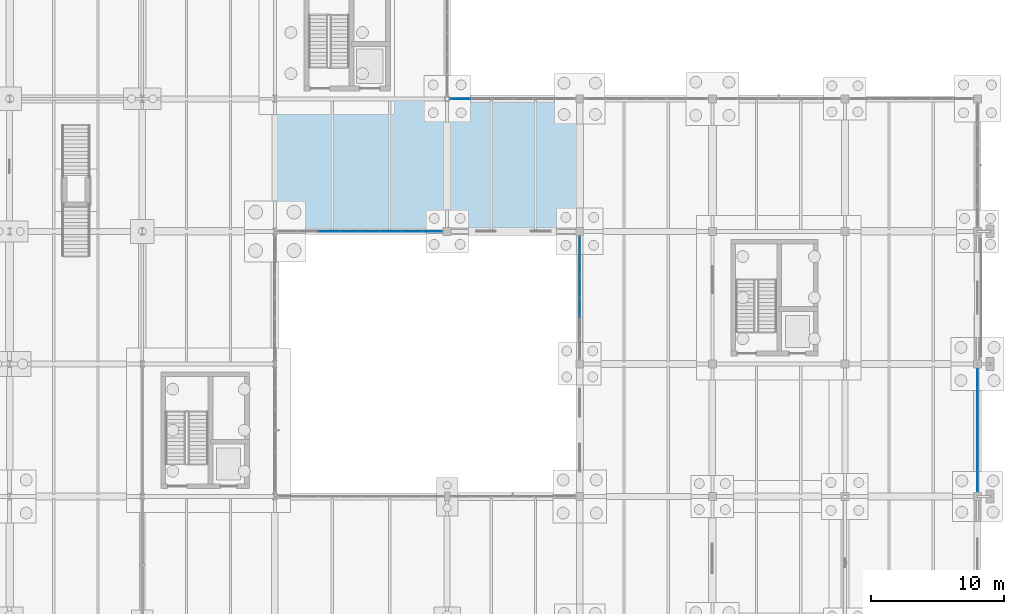
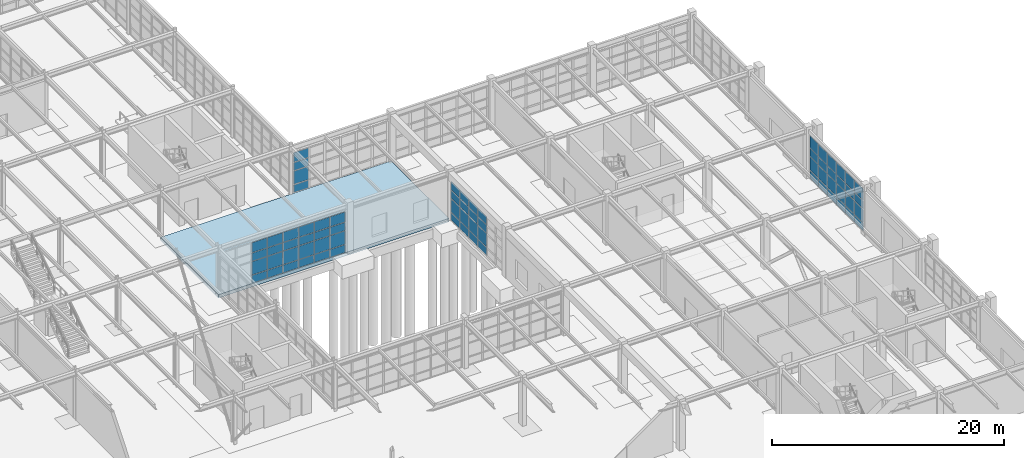
# One storey, part 95 of 145: 68 plates, 1 slab, 4 elements without a shape of their own.
"""IFC4 building model written with IfcOpenShell, lengths in metres."""

from ifc_helpers import new_model, si_unit, direction, frame, origin, origin_2d, place, context, subcontext, project, spatial, polyline, rectangle, outline, extrude, material, layer, layer_set, type_object, element, aggregate, save


model = new_model("IFC4")

# Units and contexts
model_context = context("Model", 3, precision=1e-05, world=origin(), true_north=direction((0.0, 1.0)))
body_context = subcontext(model_context, "Body", "Model", "MODEL_VIEW")
ifc_project = project(units=[si_unit("LENGTHUNIT", "METRE"), si_unit("AREAUNIT", "SQUARE_METRE"), si_unit("VOLUMEUNIT", "CUBIC_METRE"), si_unit("PLANEANGLEUNIT", "RADIAN"), si_unit("MASSUNIT", "GRAM", prefix="KILO"), si_unit("THERMODYNAMICTEMPERATUREUNIT", "KELVIN"), si_unit("POWERUNIT", "WATT")], contexts=[model_context])

# Site, building, storey
site_placement = place(None, origin())
site = spatial("IfcSite", under=ifc_project, at=site_placement, CompositionType="ELEMENT")
building_placement = place(site_placement, origin())
building = spatial("IfcBuilding", under=site, at=building_placement, Name="Korenveer Ferry Terminal", CompositionType="ELEMENT")
storey_placement = place(building_placement, origin())
storey = spatial("IfcBuildingStorey", under=building, at=storey_placement, Name="L00", CompositionType="ELEMENT", Elevation=0.0)

# Curtain wall, plates
ifc_material_1 = material(Name="Unitised bronze-and-glass curtain wall", Category="glass")
ifc_layer_1 = layer(ifc_material_1, 0.159912109375)
ifc_layer_set_1 = layer_set([ifc_layer_1], Name="Unitised bronze-and-glass curtain wall")
curtain_wall_type_1 = type_object("IfcCurtainWallType", Name="ENV-CW-07", PredefinedType="USERDEFINED", material=ifc_layer_set_1)
curtain_wall_1_placement = place(storey_placement, frame((123.179931640625, 70.0, 0.0)))
curtain_wall_1 = element("IfcCurtainWall", 1, at=curtain_wall_1_placement, inside=storey, type_object=curtain_wall_type_1, Name="Lancet curtain wall CWX-L00-X123-136-Y70-70", ObjectType="UNITISED CURTAIN WALL", PredefinedType="USERDEFINED")
ifc_material_2 = material(Name="Low-iron solar-control double glazing", Category="glass")
ifc_layer_2 = layer(ifc_material_2, 0.028076171875)
ifc_layer_set_2 = layer_set([ifc_layer_2], Name="Low-iron solar-control double glazing")
plate_type_1 = type_object("IfcPlateType", Name="ENV-CWP-GLZ28", PredefinedType="CURTAIN_PANEL", material=ifc_layer_set_2)
plate_1_placement = place(storey_placement, frame((127.0830078125, 70.0, 0.06005859375), z_axis=(0.0, 0.0, 1.0), x_axis=(1.0, 0.0, 0.0)))
plate_1 = element("IfcPlate", 2, at=plate_1_placement, type_object=plate_type_1, Name="CW-07 panel 3.1", PredefinedType="CURTAIN_PANEL", context=body_context, shape_type="SweptSolid", body=[
    extrude(rectangle(XDim=1.501220703125, YDim=0.028076171875, at=origin_2d()), origin(), (0.0, 0.0, 1.0), 0.81005859375),
])
plate_2_placement = place(storey_placement, frame((127.0830078125, 70.0, 0.93017578125), z_axis=(0.0, 0.0, 1.0), x_axis=(1.0, 0.0, 0.0)))
plate_2 = element("IfcPlate", 3, at=plate_2_placement, type_object=plate_type_1, Name="CW-07 panel 3.2", PredefinedType="CURTAIN_PANEL", context=body_context, shape_type="SweptSolid", body=[
    extrude(rectangle(XDim=1.501220703125, YDim=0.028076171875, at=origin_2d()), origin(), (0.0, 0.0, 1.0), 1.389892578125),
])
plate_3_placement = place(storey_placement, frame((127.0830078125, 70.0, 2.3798828125), z_axis=(0.0, 0.0, 1.0), x_axis=(1.0, 0.0, 0.0)))
plate_3 = element("IfcPlate", 4, at=plate_3_placement, type_object=plate_type_1, Name="CW-07 panel 3.3", PredefinedType="CURTAIN_PANEL", context=body_context, shape_type="SweptSolid", body=[
    extrude(rectangle(XDim=1.501220703125, YDim=0.028076171875, at=origin_2d()), origin(), (0.0, 0.0, 1.0), 0.840087890625),
])
plate_4_placement = place(storey_placement, frame((127.0830078125, 70.0, 3.27978515625), z_axis=(0.0, 0.0, 1.0), x_axis=(1.0, 0.0, 0.0)))
plate_4 = element("IfcPlate", 5, at=plate_4_placement, type_object=plate_type_1, Name="CW-07 panel 3.4", PredefinedType="CURTAIN_PANEL", context=body_context, shape_type="SweptSolid", body=[
    extrude(rectangle(XDim=1.501220703125, YDim=0.028076171875, at=origin_2d()), origin(), (0.0, 0.0, 1.0), 1.050048828125),
])
plate_5_placement = place(storey_placement, frame((128.644287109375, 70.0, 0.06005859375), z_axis=(0.0, 0.0, 1.0), x_axis=(1.0, 0.0, 0.0)))
plate_5 = element("IfcPlate", 6, at=plate_5_placement, type_object=plate_type_1, Name="CW-07 panel 4.1", PredefinedType="CURTAIN_PANEL", context=body_context, shape_type="SweptSolid", body=[
    extrude(rectangle(XDim=1.501220703125, YDim=0.028076171875, at=origin_2d()), origin(), (0.0, 0.0, 1.0), 0.81005859375),
])
plate_6_placement = place(storey_placement, frame((128.644287109375, 70.0, 0.93017578125), z_axis=(0.0, 0.0, 1.0), x_axis=(1.0, 0.0, 0.0)))
plate_6 = element("IfcPlate", 7, at=plate_6_placement, type_object=plate_type_1, Name="CW-07 panel 4.2", PredefinedType="CURTAIN_PANEL", context=body_context, shape_type="SweptSolid", body=[
    extrude(rectangle(XDim=1.501220703125, YDim=0.028076171875, at=origin_2d()), origin(), (0.0, 0.0, 1.0), 1.389892578125),
])
plate_7_placement = place(storey_placement, frame((128.644287109375, 70.0, 2.3798828125), z_axis=(0.0, 0.0, 1.0), x_axis=(1.0, 0.0, 0.0)))
plate_7 = element("IfcPlate", 8, at=plate_7_placement, type_object=plate_type_1, Name="CW-07 panel 4.3", PredefinedType="CURTAIN_PANEL", context=body_context, shape_type="SweptSolid", body=[
    extrude(rectangle(XDim=1.501220703125, YDim=0.028076171875, at=origin_2d()), origin(), (0.0, 0.0, 1.0), 0.840087890625),
])
plate_8_placement = place(storey_placement, frame((128.644287109375, 70.0, 3.27978515625), z_axis=(0.0, 0.0, 1.0), x_axis=(1.0, 0.0, 0.0)))
plate_8 = element("IfcPlate", 9, at=plate_8_placement, type_object=plate_type_1, Name="CW-07 panel 4.4", PredefinedType="CURTAIN_PANEL", context=body_context, shape_type="SweptSolid", body=[
    extrude(rectangle(XDim=1.501220703125, YDim=0.028076171875, at=origin_2d()), origin(), (0.0, 0.0, 1.0), 1.050048828125),
])
plate_9_placement = place(storey_placement, frame((130.20556640625, 70.0, 0.06005859375), z_axis=(0.0, 0.0, 1.0), x_axis=(1.0, 0.0, 0.0)))
plate_9 = element("IfcPlate", 10, at=plate_9_placement, type_object=plate_type_1, Name="CW-07 panel 5.1", PredefinedType="CURTAIN_PANEL", context=body_context, shape_type="SweptSolid", body=[
    extrude(rectangle(XDim=1.501220703125, YDim=0.028076171875, at=origin_2d()), origin(), (0.0, 0.0, 1.0), 0.81005859375),
])
plate_10_placement = place(storey_placement, frame((130.20556640625, 70.0, 0.93017578125), z_axis=(0.0, 0.0, 1.0), x_axis=(1.0, 0.0, 0.0)))
plate_10 = element("IfcPlate", 11, at=plate_10_placement, type_object=plate_type_1, Name="CW-07 panel 5.2", PredefinedType="CURTAIN_PANEL", context=body_context, shape_type="SweptSolid", body=[
    extrude(rectangle(XDim=1.501220703125, YDim=0.028076171875, at=origin_2d()), origin(), (0.0, 0.0, 1.0), 1.389892578125),
])
plate_11_placement = place(storey_placement, frame((130.20556640625, 70.0, 2.3798828125), z_axis=(0.0, 0.0, 1.0), x_axis=(1.0, 0.0, 0.0)))
plate_11 = element("IfcPlate", 12, at=plate_11_placement, type_object=plate_type_1, Name="CW-07 panel 5.3", PredefinedType="CURTAIN_PANEL", context=body_context, shape_type="SweptSolid", body=[
    extrude(rectangle(XDim=1.501220703125, YDim=0.028076171875, at=origin_2d()), origin(), (0.0, 0.0, 1.0), 0.840087890625),
])
plate_12_placement = place(storey_placement, frame((130.20556640625, 70.0, 3.27978515625), z_axis=(0.0, 0.0, 1.0), x_axis=(1.0, 0.0, 0.0)))
plate_12 = element("IfcPlate", 13, at=plate_12_placement, type_object=plate_type_1, Name="CW-07 panel 5.4", PredefinedType="CURTAIN_PANEL", context=body_context, shape_type="SweptSolid", body=[
    extrude(rectangle(XDim=1.501220703125, YDim=0.028076171875, at=origin_2d()), origin(), (0.0, 0.0, 1.0), 1.050048828125),
])
plate_13_placement = place(storey_placement, frame((131.766845703125, 70.0, 0.06005859375), z_axis=(0.0, 0.0, 1.0), x_axis=(1.0, 0.0, 0.0)))
plate_13 = element("IfcPlate", 14, at=plate_13_placement, type_object=plate_type_1, Name="CW-07 panel 6.1", PredefinedType="CURTAIN_PANEL", context=body_context, shape_type="SweptSolid", body=[
    extrude(rectangle(XDim=1.501220703125, YDim=0.028076171875, at=origin_2d()), origin(), (0.0, 0.0, 1.0), 0.81005859375),
])
plate_14_placement = place(storey_placement, frame((131.766845703125, 70.0, 0.93017578125), z_axis=(0.0, 0.0, 1.0), x_axis=(1.0, 0.0, 0.0)))
plate_14 = element("IfcPlate", 15, at=plate_14_placement, type_object=plate_type_1, Name="CW-07 panel 6.2", PredefinedType="CURTAIN_PANEL", context=body_context, shape_type="SweptSolid", body=[
    extrude(rectangle(XDim=1.501220703125, YDim=0.028076171875, at=origin_2d()), origin(), (0.0, 0.0, 1.0), 1.389892578125),
])
plate_15_placement = place(storey_placement, frame((131.766845703125, 70.0, 2.3798828125), z_axis=(0.0, 0.0, 1.0), x_axis=(1.0, 0.0, 0.0)))
plate_15 = element("IfcPlate", 16, at=plate_15_placement, type_object=plate_type_1, Name="CW-07 panel 6.3", PredefinedType="CURTAIN_PANEL", context=body_context, shape_type="SweptSolid", body=[
    extrude(rectangle(XDim=1.501220703125, YDim=0.028076171875, at=origin_2d()), origin(), (0.0, 0.0, 1.0), 0.840087890625),
])
plate_16_placement = place(storey_placement, frame((131.766845703125, 70.0, 3.27978515625), z_axis=(0.0, 0.0, 1.0), x_axis=(1.0, 0.0, 0.0)))
plate_16 = element("IfcPlate", 17, at=plate_16_placement, type_object=plate_type_1, Name="CW-07 panel 6.4", PredefinedType="CURTAIN_PANEL", context=body_context, shape_type="SweptSolid", body=[
    extrude(rectangle(XDim=1.501220703125, YDim=0.028076171875, at=origin_2d()), origin(), (0.0, 0.0, 1.0), 1.050048828125),
])
plate_17_placement = place(storey_placement, frame((133.328125, 70.0, 0.06005859375), z_axis=(0.0, 0.0, 1.0), x_axis=(1.0, 0.0, 0.0)))
plate_17 = element("IfcPlate", 18, at=plate_17_placement, type_object=plate_type_1, Name="CW-07 panel 7.1", PredefinedType="CURTAIN_PANEL", context=body_context, shape_type="SweptSolid", body=[
    extrude(rectangle(XDim=1.501220703125, YDim=0.028076171875, at=origin_2d()), origin(), (0.0, 0.0, 1.0), 0.81005859375),
])
plate_18_placement = place(storey_placement, frame((133.328125, 70.0, 0.93017578125), z_axis=(0.0, 0.0, 1.0), x_axis=(1.0, 0.0, 0.0)))
plate_18 = element("IfcPlate", 19, at=plate_18_placement, type_object=plate_type_1, Name="CW-07 panel 7.2", PredefinedType="CURTAIN_PANEL", context=body_context, shape_type="SweptSolid", body=[
    extrude(rectangle(XDim=1.501220703125, YDim=0.028076171875, at=origin_2d()), origin(), (0.0, 0.0, 1.0), 1.389892578125),
])
plate_19_placement = place(storey_placement, frame((133.328125, 70.0, 2.3798828125), z_axis=(0.0, 0.0, 1.0), x_axis=(1.0, 0.0, 0.0)))
plate_19 = element("IfcPlate", 20, at=plate_19_placement, type_object=plate_type_1, Name="CW-07 panel 7.3", PredefinedType="CURTAIN_PANEL", context=body_context, shape_type="SweptSolid", body=[
    extrude(rectangle(XDim=1.501220703125, YDim=0.028076171875, at=origin_2d()), origin(), (0.0, 0.0, 1.0), 0.840087890625),
])
plate_20_placement = place(storey_placement, frame((133.328125, 70.0, 3.27978515625), z_axis=(0.0, 0.0, 1.0), x_axis=(1.0, 0.0, 0.0)))
plate_20 = element("IfcPlate", 21, at=plate_20_placement, type_object=plate_type_1, Name="CW-07 panel 7.4", PredefinedType="CURTAIN_PANEL", context=body_context, shape_type="SweptSolid", body=[
    extrude(rectangle(XDim=1.501220703125, YDim=0.028076171875, at=origin_2d()), origin(), (0.0, 0.0, 1.0), 1.050048828125),
])
plate_21_placement = place(storey_placement, frame((134.874267578125, 70.0, 0.06005859375), z_axis=(0.0, 0.0, 1.0), x_axis=(1.0, 0.0, 0.0)))
plate_21 = element("IfcPlate", 22, at=plate_21_placement, type_object=plate_type_1, Name="CW-07 panel 8.1", PredefinedType="CURTAIN_PANEL", context=body_context, shape_type="SweptSolid", body=[
    extrude(rectangle(XDim=1.47119140625, YDim=0.028076171875, at=origin_2d()), origin(), (0.0, 0.0, 1.0), 0.81005859375),
])
plate_22_placement = place(storey_placement, frame((134.874267578125, 70.0, 0.93017578125), z_axis=(0.0, 0.0, 1.0), x_axis=(1.0, 0.0, 0.0)))
plate_22 = element("IfcPlate", 23, at=plate_22_placement, type_object=plate_type_1, Name="CW-07 panel 8.2", PredefinedType="CURTAIN_PANEL", context=body_context, shape_type="SweptSolid", body=[
    extrude(rectangle(XDim=1.47119140625, YDim=0.028076171875, at=origin_2d()), origin(), (0.0, 0.0, 1.0), 1.389892578125),
])
plate_23_placement = place(storey_placement, frame((134.874267578125, 70.0, 2.3798828125), z_axis=(0.0, 0.0, 1.0), x_axis=(1.0, 0.0, 0.0)))
plate_23 = element("IfcPlate", 24, at=plate_23_placement, type_object=plate_type_1, Name="CW-07 panel 8.3", PredefinedType="CURTAIN_PANEL", context=body_context, shape_type="SweptSolid", body=[
    extrude(rectangle(XDim=1.47119140625, YDim=0.028076171875, at=origin_2d()), origin(), (0.0, 0.0, 1.0), 0.840087890625),
])
plate_24_placement = place(storey_placement, frame((134.874267578125, 70.0, 3.27978515625), z_axis=(0.0, 0.0, 1.0), x_axis=(1.0, 0.0, 0.0)))
plate_24 = element("IfcPlate", 25, at=plate_24_placement, type_object=plate_type_1, Name="CW-07 panel 8.4", PredefinedType="CURTAIN_PANEL", context=body_context, shape_type="SweptSolid", body=[
    extrude(rectangle(XDim=1.47119140625, YDim=0.028076171875, at=origin_2d()), origin(), (0.0, 0.0, 1.0), 1.050048828125),
])
aggregate(curtain_wall_1, [plate_1, plate_2, plate_3, plate_4, plate_5, plate_6, plate_7, plate_8, plate_9, plate_10, plate_11, plate_12, plate_13, plate_14, plate_15, plate_16, plate_17, plate_18, plate_19, plate_20, plate_21, plate_22, plate_23, plate_24])

ifc_layer_3 = layer(ifc_material_1, 0.159912109375)
ifc_layer_set_3 = layer_set([ifc_layer_3], Name="Unitised bronze-and-glass curtain wall")
curtain_wall_type_2 = type_object("IfcCurtainWallType", Name="ENV-CW-32", PredefinedType="USERDEFINED", material=ifc_layer_set_3)
curtain_wall_2_placement = place(storey_placement, frame((146.0, 60.330078125, 0.0)))
curtain_wall_2 = element("IfcCurtainWall", 26, at=curtain_wall_2_placement, inside=storey, type_object=curtain_wall_type_2, Name="Lancet curtain wall CWX-L00-X146-146-Y60-70", ObjectType="UNITISED CURTAIN WALL", PredefinedType="USERDEFINED")
plate_25_placement = place(storey_placement, frame((146.0, 64.2216796875, 0.06005859375), z_axis=(0.0, 0.0, 1.0), x_axis=(0.0, 1.0, 0.0)))
plate_25 = element("IfcPlate", 27, at=plate_25_placement, type_object=plate_type_1, Name="CW-32 panel 3.1", PredefinedType="CURTAIN_PANEL", context=body_context, shape_type="SweptSolid", body=[
    extrude(rectangle(XDim=1.49658203125, YDim=0.028076171875, at=origin_2d()), origin(), (0.0, 0.0, 1.0), 0.81005859375),
])
plate_26_placement = place(storey_placement, frame((146.0, 64.2216796875, 0.93017578125), z_axis=(0.0, 0.0, 1.0), x_axis=(0.0, 1.0, 0.0)))
plate_26 = element("IfcPlate", 28, at=plate_26_placement, type_object=plate_type_1, Name="CW-32 panel 3.2", PredefinedType="CURTAIN_PANEL", context=body_context, shape_type="SweptSolid", body=[
    extrude(rectangle(XDim=1.49658203125, YDim=0.028076171875, at=origin_2d()), origin(), (0.0, 0.0, 1.0), 1.389892578125),
])
plate_27_placement = place(storey_placement, frame((146.0, 64.2216796875, 2.3798828125), z_axis=(0.0, 0.0, 1.0), x_axis=(0.0, 1.0, 0.0)))
plate_27 = element("IfcPlate", 29, at=plate_27_placement, type_object=plate_type_1, Name="CW-32 panel 3.3", PredefinedType="CURTAIN_PANEL", context=body_context, shape_type="SweptSolid", body=[
    extrude(rectangle(XDim=1.49658203125, YDim=0.028076171875, at=origin_2d()), origin(), (0.0, 0.0, 1.0), 0.840087890625),
])
plate_28_placement = place(storey_placement, frame((146.0, 64.2216796875, 3.280029296875), z_axis=(0.0, 0.0, 1.0), x_axis=(0.0, 1.0, 0.0)))
plate_28 = element("IfcPlate", 30, at=plate_28_placement, type_object=plate_type_1, Name="CW-32 panel 3.4", PredefinedType="CURTAIN_PANEL", context=body_context, shape_type="SweptSolid", body=[
    extrude(rectangle(XDim=1.49658203125, YDim=0.028076171875, at=origin_2d()), origin(), (0.0, 0.0, 1.0), 0.85009765625),
])
plate_29_placement = place(storey_placement, frame((146.0, 65.7783203125, 0.06005859375), z_axis=(0.0, 0.0, 1.0), x_axis=(0.0, 1.0, 0.0)))
plate_29 = element("IfcPlate", 31, at=plate_29_placement, type_object=plate_type_1, Name="CW-32 panel 4.1", PredefinedType="CURTAIN_PANEL", context=body_context, shape_type="SweptSolid", body=[
    extrude(rectangle(XDim=1.49658203125, YDim=0.028076171875, at=origin_2d()), origin(), (0.0, 0.0, 1.0), 0.81005859375),
])
plate_30_placement = place(storey_placement, frame((146.0, 65.7783203125, 0.93017578125), z_axis=(0.0, 0.0, 1.0), x_axis=(0.0, 1.0, 0.0)))
plate_30 = element("IfcPlate", 32, at=plate_30_placement, type_object=plate_type_1, Name="CW-32 panel 4.2", PredefinedType="CURTAIN_PANEL", context=body_context, shape_type="SweptSolid", body=[
    extrude(rectangle(XDim=1.49658203125, YDim=0.028076171875, at=origin_2d()), origin(), (0.0, 0.0, 1.0), 1.389892578125),
])
plate_31_placement = place(storey_placement, frame((146.0, 65.7783203125, 2.3798828125), z_axis=(0.0, 0.0, 1.0), x_axis=(0.0, 1.0, 0.0)))
plate_31 = element("IfcPlate", 33, at=plate_31_placement, type_object=plate_type_1, Name="CW-32 panel 4.3", PredefinedType="CURTAIN_PANEL", context=body_context, shape_type="SweptSolid", body=[
    extrude(rectangle(XDim=1.49658203125, YDim=0.028076171875, at=origin_2d()), origin(), (0.0, 0.0, 1.0), 0.840087890625),
])
plate_32_placement = place(storey_placement, frame((146.0, 65.7783203125, 3.280029296875), z_axis=(0.0, 0.0, 1.0), x_axis=(0.0, 1.0, 0.0)))
plate_32 = element("IfcPlate", 34, at=plate_32_placement, type_object=plate_type_1, Name="CW-32 panel 4.4", PredefinedType="CURTAIN_PANEL", context=body_context, shape_type="SweptSolid", body=[
    extrude(rectangle(XDim=1.49658203125, YDim=0.028076171875, at=origin_2d()), origin(), (0.0, 0.0, 1.0), 0.85009765625),
])
plate_33_placement = place(storey_placement, frame((146.0, 67.3349609375, 0.06005859375), z_axis=(0.0, 0.0, 1.0), x_axis=(0.0, 1.0, 0.0)))
plate_33 = element("IfcPlate", 35, at=plate_33_placement, type_object=plate_type_1, Name="CW-32 panel 5.1", PredefinedType="CURTAIN_PANEL", context=body_context, shape_type="SweptSolid", body=[
    extrude(rectangle(XDim=1.49658203125, YDim=0.028076171875, at=origin_2d()), origin(), (0.0, 0.0, 1.0), 0.81005859375),
])
plate_34_placement = place(storey_placement, frame((146.0, 67.3349609375, 0.93017578125), z_axis=(0.0, 0.0, 1.0), x_axis=(0.0, 1.0, 0.0)))
plate_34 = element("IfcPlate", 36, at=plate_34_placement, type_object=plate_type_1, Name="CW-32 panel 5.2", PredefinedType="CURTAIN_PANEL", context=body_context, shape_type="SweptSolid", body=[
    extrude(rectangle(XDim=1.49658203125, YDim=0.028076171875, at=origin_2d()), origin(), (0.0, 0.0, 1.0), 1.389892578125),
])
plate_35_placement = place(storey_placement, frame((146.0, 67.3349609375, 2.3798828125), z_axis=(0.0, 0.0, 1.0), x_axis=(0.0, 1.0, 0.0)))
plate_35 = element("IfcPlate", 37, at=plate_35_placement, type_object=plate_type_1, Name="CW-32 panel 5.3", PredefinedType="CURTAIN_PANEL", context=body_context, shape_type="SweptSolid", body=[
    extrude(rectangle(XDim=1.49658203125, YDim=0.028076171875, at=origin_2d()), origin(), (0.0, 0.0, 1.0), 0.840087890625),
])
plate_36_placement = place(storey_placement, frame((146.0, 67.3349609375, 3.280029296875), z_axis=(0.0, 0.0, 1.0), x_axis=(0.0, 1.0, 0.0)))
plate_36 = element("IfcPlate", 38, at=plate_36_placement, type_object=plate_type_1, Name="CW-32 panel 5.4", PredefinedType="CURTAIN_PANEL", context=body_context, shape_type="SweptSolid", body=[
    extrude(rectangle(XDim=1.49658203125, YDim=0.028076171875, at=origin_2d()), origin(), (0.0, 0.0, 1.0), 0.85009765625),
])
plate_37_placement = place(storey_placement, frame((146.0, 68.876708984375, 0.06005859375), z_axis=(0.0, 0.0, 1.0), x_axis=(0.0, 1.0, 0.0)))
plate_37 = element("IfcPlate", 39, at=plate_37_placement, type_object=plate_type_1, Name="CW-32 panel 6.1", PredefinedType="CURTAIN_PANEL", context=body_context, shape_type="SweptSolid", body=[
    extrude(rectangle(XDim=1.466552734375, YDim=0.028076171875, at=origin_2d()), origin(), (0.0, 0.0, 1.0), 0.81005859375),
])
plate_38_placement = place(storey_placement, frame((146.0, 68.876708984375, 0.93017578125), z_axis=(0.0, 0.0, 1.0), x_axis=(0.0, 1.0, 0.0)))
plate_38 = element("IfcPlate", 40, at=plate_38_placement, type_object=plate_type_1, Name="CW-32 panel 6.2", PredefinedType="CURTAIN_PANEL", context=body_context, shape_type="SweptSolid", body=[
    extrude(rectangle(XDim=1.466552734375, YDim=0.028076171875, at=origin_2d()), origin(), (0.0, 0.0, 1.0), 1.389892578125),
])
plate_39_placement = place(storey_placement, frame((146.0, 68.876708984375, 2.3798828125), z_axis=(0.0, 0.0, 1.0), x_axis=(0.0, 1.0, 0.0)))
plate_39 = element("IfcPlate", 41, at=plate_39_placement, type_object=plate_type_1, Name="CW-32 panel 6.3", PredefinedType="CURTAIN_PANEL", context=body_context, shape_type="SweptSolid", body=[
    extrude(rectangle(XDim=1.466552734375, YDim=0.028076171875, at=origin_2d()), origin(), (0.0, 0.0, 1.0), 0.840087890625),
])
plate_40_placement = place(storey_placement, frame((146.0, 68.876708984375, 3.280029296875), z_axis=(0.0, 0.0, 1.0), x_axis=(0.0, 1.0, 0.0)))
plate_40 = element("IfcPlate", 42, at=plate_40_placement, type_object=plate_type_1, Name="CW-32 panel 6.4", PredefinedType="CURTAIN_PANEL", context=body_context, shape_type="SweptSolid", body=[
    extrude(rectangle(XDim=1.466552734375, YDim=0.028076171875, at=origin_2d()), origin(), (0.0, 0.0, 1.0), 0.85009765625),
])
aggregate(curtain_wall_2, [plate_25, plate_26, plate_27, plate_28, plate_29, plate_30, plate_31, plate_32, plate_33, plate_34, plate_35, plate_36, plate_37, plate_38, plate_39, plate_40])

ifc_layer_4 = layer(ifc_material_1, 0.159912109375)
ifc_layer_set_4 = layer_set([ifc_layer_4], Name="Unitised bronze-and-glass curtain wall")
curtain_wall_type_3 = type_object("IfcCurtainWallType", Name="ENV-CW-35", PredefinedType="USERDEFINED", material=ifc_layer_set_4)
curtain_wall_3_placement = place(storey_placement, frame((176.0, 59.669921875, 0.0)))
curtain_wall_3 = element("IfcCurtainWall", 43, at=curtain_wall_3_placement, inside=storey, type_object=curtain_wall_type_3, Name="Lancet curtain wall CWX-L00-X176-176-Y50-60", ObjectType="UNITISED CURTAIN WALL", PredefinedType="USERDEFINED")
plate_41_placement = place(storey_placement, frame((176.0, 58.876708984375, 0.06005859375), z_axis=(0.0, 0.0, 1.0), x_axis=(0.0, -1.0, 0.0)))
plate_41 = element("IfcPlate", 44, at=plate_41_placement, type_object=plate_type_1, Name="CW-35 panel 1.1", PredefinedType="CURTAIN_PANEL", context=body_context, shape_type="SweptSolid", body=[
    extrude(rectangle(XDim=1.466552734375, YDim=0.028076171875, at=origin_2d()), origin(), (0.0, 0.0, 1.0), 0.81005859375),
])
plate_42_placement = place(storey_placement, frame((176.0, 58.876708984375, 0.93017578125), z_axis=(0.0, 0.0, 1.0), x_axis=(0.0, -1.0, 0.0)))
plate_42 = element("IfcPlate", 45, at=plate_42_placement, type_object=plate_type_1, Name="CW-35 panel 1.2", PredefinedType="CURTAIN_PANEL", context=body_context, shape_type="SweptSolid", body=[
    extrude(rectangle(XDim=1.466552734375, YDim=0.028076171875, at=origin_2d()), origin(), (0.0, 0.0, 1.0), 1.389892578125),
])
plate_43_placement = place(storey_placement, frame((176.0, 58.876708984375, 2.3798828125), z_axis=(0.0, 0.0, 1.0), x_axis=(0.0, -1.0, 0.0)))
plate_43 = element("IfcPlate", 46, at=plate_43_placement, type_object=plate_type_1, Name="CW-35 panel 1.3", PredefinedType="CURTAIN_PANEL", context=body_context, shape_type="SweptSolid", body=[
    extrude(rectangle(XDim=1.466552734375, YDim=0.028076171875, at=origin_2d()), origin(), (0.0, 0.0, 1.0), 0.840087890625),
])
plate_44_placement = place(storey_placement, frame((176.0, 58.876708984375, 3.280029296875), z_axis=(0.0, 0.0, 1.0), x_axis=(0.0, -1.0, 0.0)))
plate_44 = element("IfcPlate", 47, at=plate_44_placement, type_object=plate_type_1, Name="CW-35 panel 1.4", PredefinedType="CURTAIN_PANEL", context=body_context, shape_type="SweptSolid", body=[
    extrude(rectangle(XDim=1.466552734375, YDim=0.028076171875, at=origin_2d()), origin(), (0.0, 0.0, 1.0), 1.25),
])
plate_45_placement = place(storey_placement, frame((176.0, 57.3349609375, 0.06005859375), z_axis=(0.0, 0.0, 1.0), x_axis=(0.0, -1.0, 0.0)))
plate_45 = element("IfcPlate", 48, at=plate_45_placement, type_object=plate_type_1, Name="CW-35 panel 2.1", PredefinedType="CURTAIN_PANEL", context=body_context, shape_type="SweptSolid", body=[
    extrude(rectangle(XDim=1.49658203125, YDim=0.028076171875, at=origin_2d()), origin(), (0.0, 0.0, 1.0), 0.81005859375),
])
plate_46_placement = place(storey_placement, frame((176.0, 57.3349609375, 0.93017578125), z_axis=(0.0, 0.0, 1.0), x_axis=(0.0, -1.0, 0.0)))
plate_46 = element("IfcPlate", 49, at=plate_46_placement, type_object=plate_type_1, Name="CW-35 panel 2.2", PredefinedType="CURTAIN_PANEL", context=body_context, shape_type="SweptSolid", body=[
    extrude(rectangle(XDim=1.49658203125, YDim=0.028076171875, at=origin_2d()), origin(), (0.0, 0.0, 1.0), 1.389892578125),
])
plate_47_placement = place(storey_placement, frame((176.0, 57.3349609375, 2.3798828125), z_axis=(0.0, 0.0, 1.0), x_axis=(0.0, -1.0, 0.0)))
plate_47 = element("IfcPlate", 50, at=plate_47_placement, type_object=plate_type_1, Name="CW-35 panel 2.3", PredefinedType="CURTAIN_PANEL", context=body_context, shape_type="SweptSolid", body=[
    extrude(rectangle(XDim=1.49658203125, YDim=0.028076171875, at=origin_2d()), origin(), (0.0, 0.0, 1.0), 0.840087890625),
])
plate_48_placement = place(storey_placement, frame((176.0, 57.3349609375, 3.280029296875), z_axis=(0.0, 0.0, 1.0), x_axis=(0.0, -1.0, 0.0)))
plate_48 = element("IfcPlate", 51, at=plate_48_placement, type_object=plate_type_1, Name="CW-35 panel 2.4", PredefinedType="CURTAIN_PANEL", context=body_context, shape_type="SweptSolid", body=[
    extrude(rectangle(XDim=1.49658203125, YDim=0.028076171875, at=origin_2d()), origin(), (0.0, 0.0, 1.0), 1.25),
])
plate_49_placement = place(storey_placement, frame((176.0, 55.7783203125, 0.06005859375), z_axis=(0.0, 0.0, 1.0), x_axis=(0.0, -1.0, 0.0)))
plate_49 = element("IfcPlate", 52, at=plate_49_placement, type_object=plate_type_1, Name="CW-35 panel 3.1", PredefinedType="CURTAIN_PANEL", context=body_context, shape_type="SweptSolid", body=[
    extrude(rectangle(XDim=1.49658203125, YDim=0.028076171875, at=origin_2d()), origin(), (0.0, 0.0, 1.0), 0.81005859375),
])
plate_50_placement = place(storey_placement, frame((176.0, 55.7783203125, 0.93017578125), z_axis=(0.0, 0.0, 1.0), x_axis=(0.0, -1.0, 0.0)))
plate_50 = element("IfcPlate", 53, at=plate_50_placement, type_object=plate_type_1, Name="CW-35 panel 3.2", PredefinedType="CURTAIN_PANEL", context=body_context, shape_type="SweptSolid", body=[
    extrude(rectangle(XDim=1.49658203125, YDim=0.028076171875, at=origin_2d()), origin(), (0.0, 0.0, 1.0), 1.389892578125),
])
plate_51_placement = place(storey_placement, frame((176.0, 55.7783203125, 2.3798828125), z_axis=(0.0, 0.0, 1.0), x_axis=(0.0, -1.0, 0.0)))
plate_51 = element("IfcPlate", 54, at=plate_51_placement, type_object=plate_type_1, Name="CW-35 panel 3.3", PredefinedType="CURTAIN_PANEL", context=body_context, shape_type="SweptSolid", body=[
    extrude(rectangle(XDim=1.49658203125, YDim=0.028076171875, at=origin_2d()), origin(), (0.0, 0.0, 1.0), 0.840087890625),
])
plate_52_placement = place(storey_placement, frame((176.0, 55.7783203125, 3.280029296875), z_axis=(0.0, 0.0, 1.0), x_axis=(0.0, -1.0, 0.0)))
plate_52 = element("IfcPlate", 55, at=plate_52_placement, type_object=plate_type_1, Name="CW-35 panel 3.4", PredefinedType="CURTAIN_PANEL", context=body_context, shape_type="SweptSolid", body=[
    extrude(rectangle(XDim=1.49658203125, YDim=0.028076171875, at=origin_2d()), origin(), (0.0, 0.0, 1.0), 1.25),
])
plate_53_placement = place(storey_placement, frame((176.0, 54.2216796875, 0.06005859375), z_axis=(0.0, 0.0, 1.0), x_axis=(0.0, -1.0, 0.0)))
plate_53 = element("IfcPlate", 56, at=plate_53_placement, type_object=plate_type_1, Name="CW-35 panel 4.1", PredefinedType="CURTAIN_PANEL", context=body_context, shape_type="SweptSolid", body=[
    extrude(rectangle(XDim=1.49658203125, YDim=0.028076171875, at=origin_2d()), origin(), (0.0, 0.0, 1.0), 0.81005859375),
])
plate_54_placement = place(storey_placement, frame((176.0, 54.2216796875, 0.93017578125), z_axis=(0.0, 0.0, 1.0), x_axis=(0.0, -1.0, 0.0)))
plate_54 = element("IfcPlate", 57, at=plate_54_placement, type_object=plate_type_1, Name="CW-35 panel 4.2", PredefinedType="CURTAIN_PANEL", context=body_context, shape_type="SweptSolid", body=[
    extrude(rectangle(XDim=1.49658203125, YDim=0.028076171875, at=origin_2d()), origin(), (0.0, 0.0, 1.0), 1.389892578125),
])
plate_55_placement = place(storey_placement, frame((176.0, 54.2216796875, 2.3798828125), z_axis=(0.0, 0.0, 1.0), x_axis=(0.0, -1.0, 0.0)))
plate_55 = element("IfcPlate", 58, at=plate_55_placement, type_object=plate_type_1, Name="CW-35 panel 4.3", PredefinedType="CURTAIN_PANEL", context=body_context, shape_type="SweptSolid", body=[
    extrude(rectangle(XDim=1.49658203125, YDim=0.028076171875, at=origin_2d()), origin(), (0.0, 0.0, 1.0), 0.840087890625),
])
plate_56_placement = place(storey_placement, frame((176.0, 54.2216796875, 3.280029296875), z_axis=(0.0, 0.0, 1.0), x_axis=(0.0, -1.0, 0.0)))
plate_56 = element("IfcPlate", 59, at=plate_56_placement, type_object=plate_type_1, Name="CW-35 panel 4.4", PredefinedType="CURTAIN_PANEL", context=body_context, shape_type="SweptSolid", body=[
    extrude(rectangle(XDim=1.49658203125, YDim=0.028076171875, at=origin_2d()), origin(), (0.0, 0.0, 1.0), 1.25),
])
plate_57_placement = place(storey_placement, frame((176.0, 52.6650390625, 0.06005859375), z_axis=(0.0, 0.0, 1.0), x_axis=(0.0, -1.0, 0.0)))
plate_57 = element("IfcPlate", 60, at=plate_57_placement, type_object=plate_type_1, Name="CW-35 panel 5.1", PredefinedType="CURTAIN_PANEL", context=body_context, shape_type="SweptSolid", body=[
    extrude(rectangle(XDim=1.49658203125, YDim=0.028076171875, at=origin_2d()), origin(), (0.0, 0.0, 1.0), 0.81005859375),
])
plate_58_placement = place(storey_placement, frame((176.0, 52.6650390625, 0.93017578125), z_axis=(0.0, 0.0, 1.0), x_axis=(0.0, -1.0, 0.0)))
plate_58 = element("IfcPlate", 61, at=plate_58_placement, type_object=plate_type_1, Name="CW-35 panel 5.2", PredefinedType="CURTAIN_PANEL", context=body_context, shape_type="SweptSolid", body=[
    extrude(rectangle(XDim=1.49658203125, YDim=0.028076171875, at=origin_2d()), origin(), (0.0, 0.0, 1.0), 1.389892578125),
])
plate_59_placement = place(storey_placement, frame((176.0, 52.6650390625, 2.3798828125), z_axis=(0.0, 0.0, 1.0), x_axis=(0.0, -1.0, 0.0)))
plate_59 = element("IfcPlate", 62, at=plate_59_placement, type_object=plate_type_1, Name="CW-35 panel 5.3", PredefinedType="CURTAIN_PANEL", context=body_context, shape_type="SweptSolid", body=[
    extrude(rectangle(XDim=1.49658203125, YDim=0.028076171875, at=origin_2d()), origin(), (0.0, 0.0, 1.0), 0.840087890625),
])
plate_60_placement = place(storey_placement, frame((176.0, 52.6650390625, 3.280029296875), z_axis=(0.0, 0.0, 1.0), x_axis=(0.0, -1.0, 0.0)))
plate_60 = element("IfcPlate", 63, at=plate_60_placement, type_object=plate_type_1, Name="CW-35 panel 5.4", PredefinedType="CURTAIN_PANEL", context=body_context, shape_type="SweptSolid", body=[
    extrude(rectangle(XDim=1.49658203125, YDim=0.028076171875, at=origin_2d()), origin(), (0.0, 0.0, 1.0), 1.25),
])
plate_61_placement = place(storey_placement, frame((176.0, 51.123291015625, 0.06005859375), z_axis=(0.0, 0.0, 1.0), x_axis=(0.0, -1.0, 0.0)))
plate_61 = element("IfcPlate", 64, at=plate_61_placement, type_object=plate_type_1, Name="CW-35 panel 6.1", PredefinedType="CURTAIN_PANEL", context=body_context, shape_type="SweptSolid", body=[
    extrude(rectangle(XDim=1.466552734375, YDim=0.028076171875, at=origin_2d()), origin(), (0.0, 0.0, 1.0), 0.81005859375),
])
plate_62_placement = place(storey_placement, frame((176.0, 51.123291015625, 0.93017578125), z_axis=(0.0, 0.0, 1.0), x_axis=(0.0, -1.0, 0.0)))
plate_62 = element("IfcPlate", 65, at=plate_62_placement, type_object=plate_type_1, Name="CW-35 panel 6.2", PredefinedType="CURTAIN_PANEL", context=body_context, shape_type="SweptSolid", body=[
    extrude(rectangle(XDim=1.466552734375, YDim=0.028076171875, at=origin_2d()), origin(), (0.0, 0.0, 1.0), 1.389892578125),
])
plate_63_placement = place(storey_placement, frame((176.0, 51.123291015625, 2.3798828125), z_axis=(0.0, 0.0, 1.0), x_axis=(0.0, -1.0, 0.0)))
plate_63 = element("IfcPlate", 66, at=plate_63_placement, type_object=plate_type_1, Name="CW-35 panel 6.3", PredefinedType="CURTAIN_PANEL", context=body_context, shape_type="SweptSolid", body=[
    extrude(rectangle(XDim=1.466552734375, YDim=0.028076171875, at=origin_2d()), origin(), (0.0, 0.0, 1.0), 0.840087890625),
])
plate_64_placement = place(storey_placement, frame((176.0, 51.123291015625, 3.280029296875), z_axis=(0.0, 0.0, 1.0), x_axis=(0.0, -1.0, 0.0)))
plate_64 = element("IfcPlate", 67, at=plate_64_placement, type_object=plate_type_1, Name="CW-35 panel 6.4", PredefinedType="CURTAIN_PANEL", context=body_context, shape_type="SweptSolid", body=[
    extrude(rectangle(XDim=1.466552734375, YDim=0.028076171875, at=origin_2d()), origin(), (0.0, 0.0, 1.0), 1.25),
])
aggregate(curtain_wall_3, [plate_41, plate_42, plate_43, plate_44, plate_45, plate_46, plate_47, plate_48, plate_49, plate_50, plate_51, plate_52, plate_53, plate_54, plate_55, plate_56, plate_57, plate_58, plate_59, plate_60, plate_61, plate_62, plate_63, plate_64])

ifc_layer_5 = layer(ifc_material_1, 0.219970703125)
ifc_layer_set_5 = layer_set([ifc_layer_5], Name="Unitised bronze-and-glass curtain wall")
curtain_wall_type_4 = type_object("IfcCurtainWallType", Name="ENV-CW-12", PredefinedType="USERDEFINED", material=ifc_layer_set_5)
curtain_wall_4_placement = place(storey_placement, frame((136.207763671875, 80.0, 0.0)))
curtain_wall_4 = element("IfcCurtainWall", 68, at=curtain_wall_4_placement, inside=storey, type_object=curtain_wall_type_4, Name="Lancet curtain wall CWX-L00-X136-146-Y80-80", ObjectType="UNITISED CURTAIN WALL", PredefinedType="USERDEFINED")
ifc_material_3 = material(Name="Acoustic laminated marine glazing", Category="glass")
ifc_layer_6 = layer(ifc_material_3, 0.035888671875)
ifc_layer_set_6 = layer_set([ifc_layer_6], Name="Acoustic laminated marine glazing")
plate_type_2 = type_object("IfcPlateType", Name="ENV-CWP-GLZ36", PredefinedType="CURTAIN_PANEL", material=ifc_layer_set_6)
plate_65_placement = place(storey_placement, frame((137.01513671875, 80.0, 0.074951171875), z_axis=(0.0, 0.0, 1.0), x_axis=(1.0, 0.0, 0.0)))
plate_65 = element("IfcPlate", 69, at=plate_65_placement, type_object=plate_type_2, Name="CW-12 panel 1.1", PredefinedType="CURTAIN_PANEL", context=body_context, shape_type="SweptSolid", body=[
    extrude(rectangle(XDim=1.464599609375, YDim=0.035888671875, at=origin_2d()), origin(), (0.0, 0.0, 1.0), 0.78759765625),
])
plate_66_placement = place(storey_placement, frame((137.01513671875, 80.0, 0.9375), z_axis=(0.0, 0.0, 1.0), x_axis=(1.0, 0.0, 0.0)))
plate_66 = element("IfcPlate", 70, at=plate_66_placement, type_object=plate_type_2, Name="CW-12 panel 1.2", PredefinedType="CURTAIN_PANEL", context=body_context, shape_type="SweptSolid", body=[
    extrude(rectangle(XDim=1.464599609375, YDim=0.035888671875, at=origin_2d()), origin(), (0.0, 0.0, 1.0), 1.375),
])
plate_67_placement = place(storey_placement, frame((137.01513671875, 80.0, 2.3876953125), z_axis=(0.0, 0.0, 1.0), x_axis=(1.0, 0.0, 0.0)))
plate_67 = element("IfcPlate", 71, at=plate_67_placement, type_object=plate_type_2, Name="CW-12 panel 1.3", PredefinedType="CURTAIN_PANEL", context=body_context, shape_type="SweptSolid", body=[
    extrude(rectangle(XDim=1.464599609375, YDim=0.035888671875, at=origin_2d()), origin(), (0.0, 0.0, 1.0), 0.824951171875),
])
plate_68_placement = place(storey_placement, frame((137.01513671875, 80.0, 3.28759765625), z_axis=(0.0, 0.0, 1.0), x_axis=(1.0, 0.0, 0.0)))
plate_68 = element("IfcPlate", 72, at=plate_68_placement, type_object=plate_type_2, Name="CW-12 panel 1.4", PredefinedType="CURTAIN_PANEL", context=body_context, shape_type="SweptSolid", body=[
    extrude(rectangle(XDim=1.464599609375, YDim=0.035888671875, at=origin_2d()), origin(), (0.0, 0.0, 1.0), 0.9775390625),
])
aggregate(curtain_wall_4, [plate_65, plate_66, plate_67, plate_68])

# Slab
ifc_material_4 = material(Name="Concrete C40/50", Category="concrete")
ifc_layer_7 = layer(ifc_material_4, 0.35009765625)
ifc_layer_set_7 = layer_set([ifc_layer_7], Name="Concrete C40/50")
slab_type = type_object("IfcSlabType", Name="STR-SL-BASE350", PredefinedType="BASESLAB", material=ifc_layer_set_7)
slab_placement = place(storey_placement, frame((0.0, 0.0, -0.35009765625)))
element("IfcSlab", 73, at=slab_placement, inside=storey, type_object=slab_type, Name="Floor slab SL-L00-PE1", PredefinedType="BASESLAB", context=body_context, shape_type="SweptSolid", body=[
    extrude(outline(polyline([(123.0, 70.0), (146.0, 70.0), (146.0, 80.0), (123.0, 80.0), (123.0, 70.0)])), origin(), (0.0, 0.0, 1.0), 0.35009765625),
])

save(model, "model.ifc")
